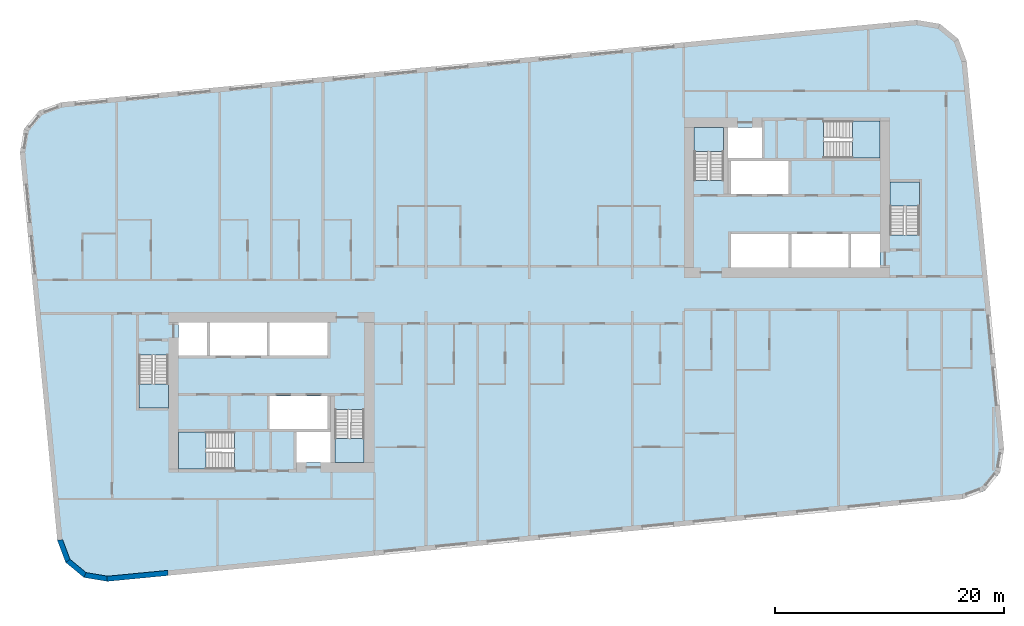
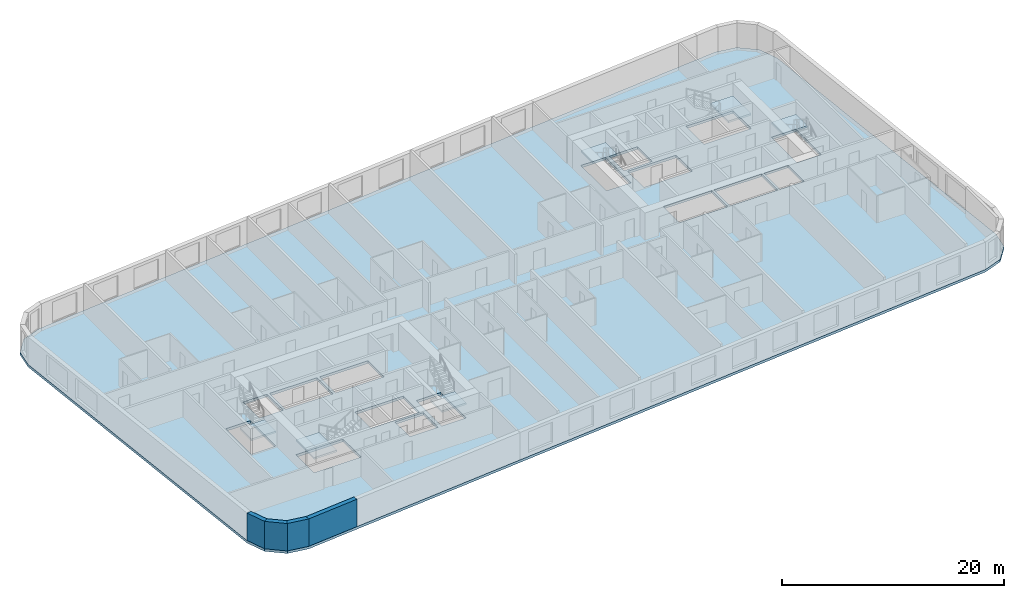
# One storey, part 1 of 12: 7 slabs, 4 walls, 6 elements without a shape of their own.
"""IFC4 building model written with IfcOpenShell, lengths in metres."""

from ifc_helpers import new_model, si_unit, direction, frame, frame_2d, origin, place, context, subcontext, project, spatial, polyline, rectangle, outline, extrude, material, layer, layer_set, type_object, element, aggregate, save


model = new_model("IFC4")

# Units and contexts
model_context = context("Model", 3, precision=1e-05, world=origin(), true_north=direction((0.0, 1.0)))
body_context = subcontext(model_context, "Body", "Model", "MODEL_VIEW")
ifc_project = project(units=[si_unit("LENGTHUNIT", "METRE"), si_unit("AREAUNIT", "SQUARE_METRE"), si_unit("VOLUMEUNIT", "CUBIC_METRE"), si_unit("PLANEANGLEUNIT", "RADIAN"), si_unit("MASSUNIT", "GRAM", prefix="KILO")], contexts=[model_context])

# Site, building, storey
site_placement = place(None, origin())
site = spatial("IfcSite", under=ifc_project, at=site_placement, CompositionType="ELEMENT")
building_placement = place(site_placement, origin())
building = spatial("IfcBuilding", under=site, at=building_placement, Name="Kajstack Hotel Tower", CompositionType="ELEMENT")
storey_placement = place(building_placement, frame((0.0, 0.0, 180.10009765625)))
storey = spatial("IfcBuildingStorey", under=building, at=storey_placement, Name="L42", CompositionType="ELEMENT", Elevation=180.10009765625)

# Slab
ifc_material_1 = material(Name="Concrete C40/50", Category="concrete")
ifc_layer_1 = layer(ifc_material_1, 0.280029296875)
ifc_layer_set_1 = layer_set([ifc_layer_1], Name="RC slab 280 C40/50 guest")
slab_type_1 = type_object("IfcSlabType", Name="RC slab 280 C40/50 guest", PredefinedType="FLOOR", material=ifc_layer_set_1)
slab_1_placement = place(storey_placement, frame((0.0, 0.0, -0.280029296875)))
element("IfcSlab", 1, at=slab_1_placement, inside=storey, type_object=slab_type_1, Name="S-slab-L42", PredefinedType="FLOOR", context=body_context, shape_type="SweptSolid", body=[
    extrude(outline(polyline([(-44.438232421875, 12.444091796875), (-41.1796875, -21.3994140625), (-40.454345703125, -23.3388671875), (-38.856689453125, -24.65576171875), (-36.814697265625, -24.99755859375), (37.840087890625, -17.80908203125), (39.779541015625, -17.083984375), (41.0966796875, -15.486328125), (41.438232421875, -13.444091796875), (38.1796875, 20.3994140625), (37.454345703125, 22.3388671875), (35.856689453125, 23.65576171875), (33.814697265625, 23.99755859375), (-40.840087890625, 16.80908203125), (-42.779541015625, 16.083984375), (-44.0966796875, 14.486328125), (-44.438232421875, 12.444091796875)]), holes=[polyline([(-22.64990234375, -11.699951171875), (-22.64990234375, -8.800048828125), (-17.60009765625, -8.800048828125), (-17.60009765625, -11.699951171875), (-22.64990234375, -11.699951171875)]), polyline([(-27.85009765625, -5.300048828125), (-27.85009765625, -2.39990234375), (-22.89990234375, -2.39990234375), (-22.89990234375, -5.300048828125), (-27.85009765625, -5.300048828125)]), polyline([(-22.64990234375, -5.300048828125), (-22.64990234375, -2.39990234375), (-17.60009765625, -2.39990234375), (-17.60009765625, -5.300048828125), (-22.64990234375, -5.300048828125)]), polyline([(-20.300048828125, -14.60009765625), (-17.35009765625, -14.60009765625), (-17.35009765625, -11.949951171875), (-20.300048828125, -11.949951171875), (-20.300048828125, -14.60009765625)]), polyline([(-30.60009765625, -5.300048828125), (-28.10009765625, -5.300048828125), (-28.10009765625, -2.39990234375), (-30.60009765625, -2.39990234375), (-30.60009765625, -5.300048828125)]), polyline([(17.60009765625, 8.800048828125), (17.60009765625, 11.699951171875), (22.64990234375, 11.699951171875), (22.64990234375, 8.800048828125), (17.60009765625, 8.800048828125)]), polyline([(22.89990234375, 2.39990234375), (22.89990234375, 5.300048828125), (27.85009765625, 5.300048828125), (27.85009765625, 2.39990234375), (22.89990234375, 2.39990234375)]), polyline([(17.60009765625, 2.39990234375), (17.60009765625, 5.300048828125), (22.64990234375, 5.300048828125), (22.64990234375, 2.39990234375), (17.60009765625, 2.39990234375)]), polyline([(20.300048828125, 14.60009765625), (17.35009765625, 14.60009765625), (17.35009765625, 11.949951171875), (20.300048828125, 11.949951171875), (20.300048828125, 14.60009765625)]), polyline([(30.60009765625, 5.300048828125), (28.10009765625, 5.300048828125), (28.10009765625, 2.39990234375), (30.60009765625, 2.39990234375), (30.60009765625, 5.300048828125)]), polyline([(-34.050048828125, -9.85009765625), (-31.5, -9.85009765625), (-31.5, -5.25), (-34.050048828125, -5.25), (-34.050048828125, -9.85009765625)]), polyline([(-16.949951171875, -14.60009765625), (-14.39990234375, -14.60009765625), (-14.39990234375, -10.0), (-16.949951171875, -10.0), (-16.949951171875, -14.60009765625)]), polyline([(-30.60009765625, -15.199951171875), (-25.699951171875, -15.199951171875), (-25.699951171875, -11.949951171875), (-30.60009765625, -11.949951171875), (-30.60009765625, -15.199951171875)]), polyline([(34.050048828125, 9.85009765625), (31.5, 9.85009765625), (31.5, 5.25), (34.050048828125, 5.25), (34.050048828125, 9.85009765625)]), polyline([(16.949951171875, 14.60009765625), (14.39990234375, 14.60009765625), (14.39990234375, 10.0), (16.949951171875, 10.0), (16.949951171875, 14.60009765625)]), polyline([(30.60009765625, 15.199951171875), (25.699951171875, 15.199951171875), (25.699951171875, 11.949951171875), (30.60009765625, 11.949951171875), (30.60009765625, 15.199951171875)])]), origin(), (0.0, 0.0, 1.0), 0.280029296875),
])

# Stair, slab
stair_type_1 = type_object("IfcStairType", Name="Exit stair 1200", PredefinedType="HALF_TURN_STAIR", material=ifc_material_1)
stair_1_placement = place(storey_placement, origin())
stair_1 = element("IfcStair", 2, at=stair_1_placement, inside=storey, type_object=stair_type_1, Name="L42 stair W1", PredefinedType="HALF_TURN_STAIR")
ifc_layer_2 = layer(ifc_material_1, 0.199951171875)
ifc_layer_set_2 = layer_set([ifc_layer_2], Name="Stair landing 200")
slab_type_2 = type_object("IfcSlabType", Name="Stair landing 200", PredefinedType="LANDING", material=ifc_layer_set_2)
slab_2_placement = place(storey_placement, frame((0.0, 0.0, 1.449951171875)))
slab_2 = element("IfcSlab", 3, at=slab_2_placement, type_object=slab_type_2, Name="W1 landing 1", PredefinedType="LANDING", context=body_context, shape_type="SweptSolid", body=[
    extrude(outline(polyline([(-34.050048828125, -7.77001953125), (-34.050048828125, -9.85009765625), (-31.5, -9.85009765625), (-31.5, -7.77001953125), (-34.050048828125, -7.77001953125)])), origin(), (0.0, 0.0, 1.0), 0.199951171875),
])
aggregate(stair_1, [slab_2])

stair_2_placement = place(storey_placement, origin())
stair_2 = element("IfcStair", 4, at=stair_2_placement, inside=storey, type_object=stair_type_1, Name="L42 stair W2", PredefinedType="HALF_TURN_STAIR")
slab_3_placement = place(storey_placement, frame((0.0, 0.0, 1.449951171875)))
slab_3 = element("IfcSlab", 5, at=slab_3_placement, type_object=slab_type_2, Name="W2 landing 1", PredefinedType="LANDING", context=body_context, shape_type="SweptSolid", body=[
    extrude(outline(polyline([(-16.949951171875, -12.52001953125), (-16.949951171875, -14.60009765625), (-14.39990234375, -14.60009765625), (-14.39990234375, -12.52001953125), (-16.949951171875, -12.52001953125)])), origin(), (0.0, 0.0, 1.0), 0.199951171875),
])
aggregate(stair_2, [slab_3])

stair_type_2 = type_object("IfcStairType", Name="Exit stair 1500", PredefinedType="HALF_TURN_STAIR", material=ifc_material_1)
stair_3_placement = place(storey_placement, origin())
stair_3 = element("IfcStair", 6, at=stair_3_placement, inside=storey, type_object=stair_type_2, Name="L42 stair W3", PredefinedType="HALF_TURN_STAIR")
slab_4_placement = place(storey_placement, frame((0.0, 0.0, 1.449951171875)))
slab_4 = element("IfcSlab", 7, at=slab_4_placement, type_object=slab_type_2, Name="W3 landing 1", PredefinedType="LANDING", context=body_context, shape_type="SweptSolid", body=[
    extrude(outline(polyline([(-28.219970703125, -11.949951171875), (-30.60009765625, -11.949951171875), (-30.60009765625, -15.199951171875), (-28.219970703125, -15.199951171875), (-28.219970703125, -11.949951171875)])), origin(), (0.0, 0.0, 1.0), 0.199951171875),
])
aggregate(stair_3, [slab_4])

stair_4_placement = place(storey_placement, origin())
stair_4 = element("IfcStair", 8, at=stair_4_placement, inside=storey, type_object=stair_type_1, Name="L42 stair E1", PredefinedType="HALF_TURN_STAIR")
slab_5_placement = place(storey_placement, frame((0.0, 0.0, 1.449951171875)))
slab_5 = element("IfcSlab", 9, at=slab_5_placement, type_object=slab_type_2, Name="E1 landing 1", PredefinedType="LANDING", context=body_context, shape_type="SweptSolid", body=[
    extrude(outline(polyline([(34.050048828125, 7.77001953125), (34.050048828125, 9.85009765625), (31.5, 9.85009765625), (31.5, 7.77001953125), (34.050048828125, 7.77001953125)])), origin(), (0.0, 0.0, 1.0), 0.199951171875),
])
aggregate(stair_4, [slab_5])

stair_5_placement = place(storey_placement, origin())
stair_5 = element("IfcStair", 10, at=stair_5_placement, inside=storey, type_object=stair_type_1, Name="L42 stair E2", PredefinedType="HALF_TURN_STAIR")
slab_6_placement = place(storey_placement, frame((0.0, 0.0, 1.449951171875)))
slab_6 = element("IfcSlab", 11, at=slab_6_placement, type_object=slab_type_2, Name="E2 landing 1", PredefinedType="LANDING", context=body_context, shape_type="SweptSolid", body=[
    extrude(outline(polyline([(16.949951171875, 12.52001953125), (16.949951171875, 14.60009765625), (14.39990234375, 14.60009765625), (14.39990234375, 12.52001953125), (16.949951171875, 12.52001953125)])), origin(), (0.0, 0.0, 1.0), 0.199951171875),
])
aggregate(stair_5, [slab_6])

stair_6_placement = place(storey_placement, origin())
stair_6 = element("IfcStair", 12, at=stair_6_placement, inside=storey, type_object=stair_type_2, Name="L42 stair E3", PredefinedType="HALF_TURN_STAIR")
slab_7_placement = place(storey_placement, frame((0.0, 0.0, 1.449951171875)))
slab_7 = element("IfcSlab", 13, at=slab_7_placement, type_object=slab_type_2, Name="E3 landing 1", PredefinedType="LANDING", context=body_context, shape_type="SweptSolid", body=[
    extrude(outline(polyline([(28.219970703125, 11.949951171875), (30.60009765625, 11.949951171875), (30.60009765625, 15.199951171875), (28.219970703125, 15.199951171875), (28.219970703125, 11.949951171875)])), origin(), (0.0, 0.0, 1.0), 0.199951171875),
])
aggregate(stair_6, [slab_7])

# Walls
ifc_material_2 = material(Name="Terracotta-faced brick masonry", Category="masonry")
ifc_layer_3 = layer(ifc_material_2, 0.449951171875)
ifc_layer_set_3 = layer_set([ifc_layer_3], Name="EW-TERRA")
wall_type = type_object("IfcWallType", Name="EW-TERRA", PredefinedType="SOLIDWALL", material=ifc_layer_set_3)
wall_1_placement = place(storey_placement, frame((-40.96875, -21.320556640625, 0.0), z_axis=(0.0, 0.0, 1.0), x_axis=(0.350192909346, -0.936677599948, 0.0)))
element("IfcWall", 14, at=wall_1_placement, inside=storey, type_object=wall_type, Name="E-wall-L42-01-00", PredefinedType="SOLIDWALL", context=body_context, shape_type="SweptSolid", body=[
    extrude(outline(polyline([(0.0, -0.22509765625), (2.070556640625, -0.22509765625), (1.949951171875, 0.22509765625), (0.12060546875, 0.224853515625), (0.0, -0.22509765625)])), origin(), (0.0, 0.0, 1.0), 3.02001953125),
])
wall_2_placement = place(storey_placement, frame((-40.311279296875, -23.165283203125, 0.0), z_axis=(0.0, 0.0, 1.0), x_axis=(0.771651049663, -0.636046112757, 0.0)))
element("IfcWall", 15, at=wall_2_placement, inside=storey, type_object=wall_type, Name="E-wall-L42-02-00", PredefinedType="SOLIDWALL", context=body_context, shape_type="SweptSolid", body=[
    extrude(outline(polyline([(0.0, -0.224853515625), (2.0703125, -0.22509765625), (1.94970703125, 0.224853515625), (0.12060546875, 0.22509765625), (0.0, -0.224853515625)])), origin(), (0.0, 0.0, 1.0), 3.02001953125),
])
wall_3_placement = place(storey_placement, frame((-38.819580078125, -24.433837890625, 0.0), z_axis=(0.0, 0.0, 1.0), x_axis=(0.986278951104, -0.165087342366, 0.0)))
element("IfcWall", 16, at=wall_3_placement, inside=storey, type_object=wall_type, Name="E-wall-L42-03-00", PredefinedType="SOLIDWALL", context=body_context, shape_type="SweptSolid", body=[
    extrude(outline(polyline([(0.0, -0.22509765625), (2.070556640625, -0.224853515625), (1.949951171875, 0.22509765625), (0.12060546875, 0.224853515625), (0.0, -0.22509765625)])), origin(), (0.0, 0.0, 1.0), 3.02001953125),
])
wall_4_placement = place(storey_placement, frame((-36.836181640625, -24.7734375, 0.0), z_axis=(0.0, 0.0, 1.0), x_axis=(0.995396705659, 0.095840483948, 0.0)))
element("IfcWall", 17, at=wall_4_placement, inside=storey, type_object=wall_type, Name="E-wall-L42-04-00", PredefinedType="SOLIDWALL", context=body_context, shape_type="SweptSolid", body=[
    extrude(rectangle(XDim=5.33935546875, YDim=0.449951171875, at=frame_2d((2.669677734375, 0.0))), origin(), (0.0, 0.0, 1.0), 3.02001953125),
])

save(model, "model.ifc")
